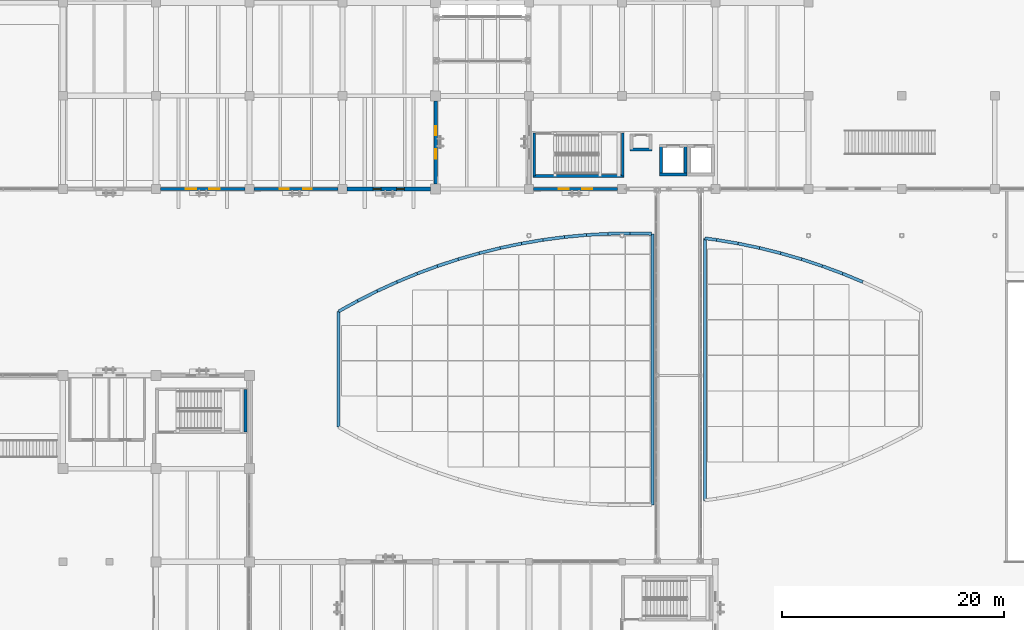
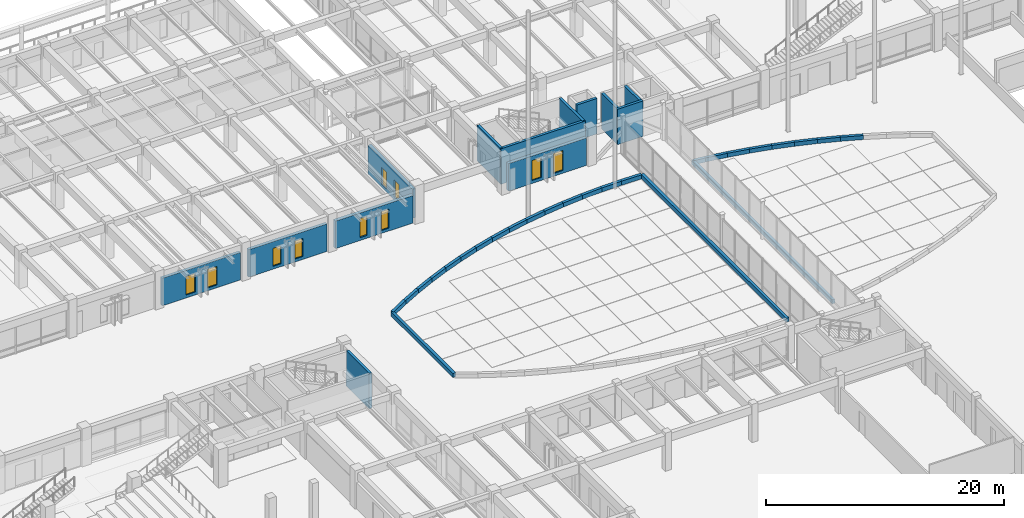
# One storey, part 92 of 135: 39 walls, 10 windows, 10 openings.
"""IFC4 building model written with IfcOpenShell, lengths in metres."""

from ifc_helpers import new_model, si_unit, direction, frame, frame_2d, origin, place, context, subcontext, project, spatial, rectangle, extrude, material, layer, layer_set, type_object, element, fill, save


model = new_model("IFC4")

# Units and contexts
model_context = context("Model", 3, precision=1e-05, world=origin(), true_north=direction((0.0, 1.0)))
body_context = subcontext(model_context, "Body", "Model", "MODEL_VIEW")
ifc_project = project(units=[si_unit("LENGTHUNIT", "METRE"), si_unit("AREAUNIT", "SQUARE_METRE"), si_unit("VOLUMEUNIT", "CUBIC_METRE"), si_unit("PLANEANGLEUNIT", "RADIAN"), si_unit("MASSUNIT", "GRAM", prefix="KILO")], contexts=[model_context])

# Site, building, storey
site_placement = place(None, origin())
site = spatial("IfcSite", under=ifc_project, at=site_placement, CompositionType="ELEMENT")
building_placement = place(site_placement, origin())
building = spatial("IfcBuilding", under=site, at=building_placement, Name="Cumbredor Promenade Congress Hotel", CompositionType="ELEMENT")
storey_placement = place(building_placement, origin())
storey = spatial("IfcBuildingStorey", under=building, at=storey_placement, Name="L00", CompositionType="ELEMENT", Elevation=0.0)

# Wall, openings, windows
ifc_material_1 = material(Name="Concrete C40/50", Category="concrete")
ifc_layer_1 = layer(ifc_material_1, 0.280029296875, Name="Concrete C40/50", Category="concrete")
ifc_layer_set_1 = layer_set([ifc_layer_1], Name="Concrete C40/50")
wall_type_1 = type_object("IfcWallType", Name="WL-EXT-280", PredefinedType="SOLIDWALL", material=ifc_layer_set_1)
wall_1_placement = place(storey_placement, frame((59.200927734375, 84.0, 0.0), z_axis=(0.0, 0.0, 1.0), x_axis=(1.0, 0.0, 0.0)))
wall_1 = element("IfcWall", 1, at=wall_1_placement, inside=storey, type_object=wall_type_1, Name="L00 Stepped Congress Hotel Wing South Envelope Wall 8", PredefinedType="SOLIDWALL", context=body_context, shape_type="SweptSolid", body=[
    extrude(rectangle(XDim=7.59814453125, YDim=0.280029296875, at=frame_2d((3.799072265625, 0.0))), origin(), (0.0, 0.0, 1.0), 2.824951171875),
])
opening_1_placement = place(wall_1_placement, frame((2.283935546875, 0.0, 0.300048828125)))
opening_1 = element("IfcOpeningElement", 2, at=opening_1_placement, cuts=wall_1, Name="Opening WN-68", PredefinedType="OPENING", context=body_context, shape_type="SweptSolid", body=[
    extrude(rectangle(XDim=0.929931640625, YDim=1.89990234375, at=frame_2d((0.46484375, 0.949951171875))), frame((0.0, 0.14990234375, 0.0), z_axis=(0.0, -1.0, 0.0), x_axis=(1.0, 0.0, 0.0)), (0.0, 0.0, 1.0), 0.300048828125),
])
opening_2_placement = place(wall_1_placement, frame((4.384033203125, 0.0, 0.300048828125)))
opening_2 = element("IfcOpeningElement", 3, at=opening_2_placement, cuts=wall_1, Name="Opening WN-68", PredefinedType="OPENING", context=body_context, shape_type="SweptSolid", body=[
    extrude(rectangle(XDim=0.929931640625, YDim=1.89990234375, at=frame_2d((0.46484375, 0.949951171875))), frame((0.0, 0.14990234375, 0.0), z_axis=(0.0, -1.0, 0.0), x_axis=(1.0, 0.0, 0.0)), (0.0, 0.0, 1.0), 0.300048828125),
])
ifc_material_2 = material(Name="Thermally broken anodized aluminium and low-E glass", Category="aluminium")
window_type_1 = type_object("IfcWindowType", Name="Vertical Slot Window WN-68 930x1900", PartitioningType="SINGLE_PANEL", PredefinedType="WINDOW", material=ifc_material_2)
window_1_placement = place(opening_1_placement, origin())
window_1 = element("IfcWindow", 4, at=window_1_placement, inside=storey, type_object=window_type_1, Name="L00 Vertical Slot Window 0067", OverallHeight=1.89990234375, OverallWidth=0.929931640625, PartitioningType="SINGLE_PANEL", PredefinedType="WINDOW", context=body_context, shape_type="SweptSolid", body=[
    extrude(rectangle(XDim=0.929931640625, YDim=1.89990234375, at=frame_2d((0.46484375, 0.949951171875))), frame((0.0, 0.030029296875, 0.0), z_axis=(0.0, -1.0, 0.0), x_axis=(1.0, 0.0, 0.0)), (0.0, 0.0, 1.0), 0.06005859375),
])
fill(opening_1, window_1)
window_2_placement = place(opening_2_placement, origin())
window_2 = element("IfcWindow", 5, at=window_2_placement, inside=storey, type_object=window_type_1, Name="L00 Vertical Slot Window 0068", OverallHeight=1.89990234375, OverallWidth=0.929931640625, PartitioningType="SINGLE_PANEL", PredefinedType="WINDOW", context=body_context, shape_type="SweptSolid", body=[
    extrude(rectangle(XDim=0.929931640625, YDim=1.89990234375, at=frame_2d((0.46484375, 0.949951171875))), frame((0.0, 0.030029296875, 0.0), z_axis=(0.0, -1.0, 0.0), x_axis=(1.0, 0.0, 0.0)), (0.0, 0.0, 1.0), 0.06005859375),
])
fill(opening_2, window_2)

ifc_layer_2 = layer(ifc_material_1, 0.300048828125, Name="Concrete C40/50", Category="concrete")
ifc_layer_set_2 = layer_set([ifc_layer_2], Name="Concrete C40/50")
wall_type_2 = type_object("IfcWallType", Name="WL-EXT-300", PredefinedType="SOLIDWALL", material=ifc_layer_set_2)
wall_2_placement = place(storey_placement, frame((92.801025390625, 84.0, 0.0), z_axis=(0.0, 0.0, 1.0), x_axis=(1.0, 0.0, 0.0)))
wall_2 = element("IfcWall", 6, at=wall_2_placement, inside=storey, type_object=wall_type_2, Name="L00 Pre-Function and Breakout Meeting Forum South Envelope Wall 1", PredefinedType="SOLIDWALL", context=body_context, shape_type="SweptSolid", body=[
    extrude(rectangle(XDim=7.597900390625, YDim=0.300048828125, at=frame_2d((3.798828125, 0.0))), origin(), (0.0, 0.0, 1.0), 2.824951171875),
])
opening_3_placement = place(wall_2_placement, frame((2.2890625, 0.0, 0.300048828125)))
opening_3 = element("IfcOpeningElement", 7, at=opening_3_placement, cuts=wall_2, Name="Opening WN-56", PredefinedType="OPENING", context=body_context, shape_type="SweptSolid", body=[
    extrude(rectangle(XDim=0.919921875, YDim=2.050048828125, at=frame_2d((0.4599609375, 1.02490234375))), frame((0.0, 0.16015625, 0.0), z_axis=(0.0, -1.0, 0.0), x_axis=(1.0, 0.0, 0.0)), (0.0, 0.0, 1.0), 0.320068359375),
])
opening_4_placement = place(wall_2_placement, frame((4.388916015625, 0.0, 0.300048828125)))
opening_4 = element("IfcOpeningElement", 8, at=opening_4_placement, cuts=wall_2, Name="Opening WN-56", PredefinedType="OPENING", context=body_context, shape_type="SweptSolid", body=[
    extrude(rectangle(XDim=0.919921875, YDim=2.050048828125, at=frame_2d((0.4599609375, 1.02490234375))), frame((0.0, 0.16015625, 0.0), z_axis=(0.0, -1.0, 0.0), x_axis=(1.0, 0.0, 0.0)), (0.0, 0.0, 1.0), 0.320068359375),
])
window_type_2 = type_object("IfcWindowType", Name="Vertical Slot Window WN-56 920x2050", PartitioningType="SINGLE_PANEL", PredefinedType="WINDOW", material=ifc_material_2)
window_3_placement = place(opening_3_placement, origin())
window_3 = element("IfcWindow", 9, at=window_3_placement, inside=storey, type_object=window_type_2, Name="L00 Vertical Slot Window 0037", OverallHeight=2.050048828125, OverallWidth=0.919921875, PartitioningType="SINGLE_PANEL", PredefinedType="WINDOW", context=body_context, shape_type="SweptSolid", body=[
    extrude(rectangle(XDim=0.919921875, YDim=2.050048828125, at=frame_2d((0.4599609375, 1.02490234375))), frame((0.0, 0.030029296875, 0.0), z_axis=(0.0, -1.0, 0.0), x_axis=(1.0, 0.0, 0.0)), (0.0, 0.0, 1.0), 0.06005859375),
])
fill(opening_3, window_3)
window_4_placement = place(opening_4_placement, origin())
window_4 = element("IfcWindow", 10, at=window_4_placement, inside=storey, type_object=window_type_2, Name="L00 Vertical Slot Window 0038", OverallHeight=2.050048828125, OverallWidth=0.919921875, PartitioningType="SINGLE_PANEL", PredefinedType="WINDOW", context=body_context, shape_type="SweptSolid", body=[
    extrude(rectangle(XDim=0.919921875, YDim=2.050048828125, at=frame_2d((0.4599609375, 1.02490234375))), frame((0.0, 0.030029296875, 0.0), z_axis=(0.0, -1.0, 0.0), x_axis=(1.0, 0.0, 0.0)), (0.0, 0.0, 1.0), 0.06005859375),
])
fill(opening_4, window_4)

wall_3_placement = place(storey_placement, frame((67.60107421875, 84.0, 0.0), z_axis=(0.0, 0.0, 1.0), x_axis=(1.0, 0.0, 0.0)))
wall_3 = element("IfcWall", 11, at=wall_3_placement, inside=storey, type_object=wall_type_2, Name="L00 Stepped Congress Hotel Wing South Envelope Wall 9", PredefinedType="SOLIDWALL", context=body_context, shape_type="SweptSolid", body=[
    extrude(rectangle(XDim=7.597900390625, YDim=0.300048828125, at=frame_2d((3.798828125, 0.0))), origin(), (0.0, 0.0, 1.0), 2.824951171875),
])
opening_5_placement = place(wall_3_placement, frame((2.35888671875, 0.0, 0.300048828125)))
opening_5 = element("IfcOpeningElement", 12, at=opening_5_placement, cuts=wall_3, Name="Opening WN-46", PredefinedType="OPENING", context=body_context, shape_type="SweptSolid", body=[
    extrude(rectangle(XDim=0.780029296875, YDim=1.85009765625, at=frame_2d((0.39013671875, 0.925048828125))), frame((0.0, 0.16015625, 0.0), z_axis=(0.0, -1.0, 0.0), x_axis=(1.0, 0.0, 0.0)), (0.0, 0.0, 1.0), 0.320068359375),
])
opening_6_placement = place(wall_3_placement, frame((4.458984375, 0.0, 0.300048828125)))
opening_6 = element("IfcOpeningElement", 13, at=opening_6_placement, cuts=wall_3, Name="Opening WN-46", PredefinedType="OPENING", context=body_context, shape_type="SweptSolid", body=[
    extrude(rectangle(XDim=0.780029296875, YDim=1.85009765625, at=frame_2d((0.39013671875, 0.925048828125))), frame((0.0, 0.16015625, 0.0), z_axis=(0.0, -1.0, 0.0), x_axis=(1.0, 0.0, 0.0)), (0.0, 0.0, 1.0), 0.320068359375),
])
window_type_3 = type_object("IfcWindowType", Name="Vertical Slot Window WN-46 780x1850", PartitioningType="SINGLE_PANEL", PredefinedType="WINDOW", material=ifc_material_2)
window_5_placement = place(opening_5_placement, origin())
window_5 = element("IfcWindow", 14, at=window_5_placement, inside=storey, type_object=window_type_3, Name="L00 Vertical Slot Window 0069", OverallHeight=1.85009765625, OverallWidth=0.780029296875, PartitioningType="SINGLE_PANEL", PredefinedType="WINDOW", context=body_context, shape_type="SweptSolid", body=[
    extrude(rectangle(XDim=0.780029296875, YDim=1.85009765625, at=frame_2d((0.39013671875, 0.925048828125))), frame((0.0, 0.030029296875, 0.0), z_axis=(0.0, -1.0, 0.0), x_axis=(1.0, 0.0, 0.0)), (0.0, 0.0, 1.0), 0.06005859375),
])
fill(opening_5, window_5)
window_6_placement = place(opening_6_placement, origin())
window_6 = element("IfcWindow", 15, at=window_6_placement, inside=storey, type_object=window_type_3, Name="L00 Vertical Slot Window 0070", OverallHeight=1.85009765625, OverallWidth=0.780029296875, PartitioningType="SINGLE_PANEL", PredefinedType="WINDOW", context=body_context, shape_type="SweptSolid", body=[
    extrude(rectangle(XDim=0.780029296875, YDim=1.85009765625, at=frame_2d((0.39013671875, 0.925048828125))), frame((0.0, 0.030029296875, 0.0), z_axis=(0.0, -1.0, 0.0), x_axis=(1.0, 0.0, 0.0)), (0.0, 0.0, 1.0), 0.06005859375),
])
fill(opening_6, window_6)

wall_4_placement = place(storey_placement, frame((84.0, 84.450927734375, 0.0), z_axis=(0.0, 0.0, 1.0), x_axis=(0.0, 1.0, 0.0)))
wall_4 = element("IfcWall", 16, at=wall_4_placement, inside=storey, type_object=wall_type_2, Name="L00 Stepped Congress Hotel Wing East Envelope Wall 1", PredefinedType="SOLIDWALL", context=body_context, shape_type="SweptSolid", body=[
    extrude(rectangle(XDim=7.498046875, YDim=0.300048828125, at=frame_2d((3.7490234375, 0.0))), origin(), (0.0, 0.0, 1.0), 2.97509765625),
])
opening_7_placement = place(wall_4_placement, frame((2.279052734375, 0.0, 0.300048828125)))
opening_7 = element("IfcOpeningElement", 17, at=opening_7_placement, cuts=wall_4, Name="Opening WN-62", PredefinedType="OPENING", context=body_context, shape_type="SweptSolid", body=[
    extrude(rectangle(XDim=0.840087890625, YDim=1.75, at=frame_2d((0.419921875, 0.875))), frame((0.0, 0.16015625, 0.0), z_axis=(0.0, -1.0, 0.0), x_axis=(1.0, 0.0, 0.0)), (0.0, 0.0, 1.0), 0.320068359375),
])
opening_8_placement = place(wall_4_placement, frame((4.37890625, 0.0, 0.300048828125)))
opening_8 = element("IfcOpeningElement", 18, at=opening_8_placement, cuts=wall_4, Name="Opening WN-62", PredefinedType="OPENING", context=body_context, shape_type="SweptSolid", body=[
    extrude(rectangle(XDim=0.840087890625, YDim=1.75, at=frame_2d((0.419921875, 0.875))), frame((0.0, 0.16015625, 0.0), z_axis=(0.0, -1.0, 0.0), x_axis=(1.0, 0.0, 0.0)), (0.0, 0.0, 1.0), 0.320068359375),
])
window_type_4 = type_object("IfcWindowType", Name="Vertical Slot Window WN-62 840x1750", PartitioningType="SINGLE_PANEL", PredefinedType="WINDOW", material=ifc_material_2)
window_7_placement = place(opening_7_placement, origin())
window_7 = element("IfcWindow", 19, at=window_7_placement, inside=storey, type_object=window_type_4, Name="L00 Vertical Slot Window 0093", OverallHeight=1.75, OverallWidth=0.840087890625, PartitioningType="SINGLE_PANEL", PredefinedType="WINDOW", context=body_context, shape_type="SweptSolid", body=[
    extrude(rectangle(XDim=0.840087890625, YDim=1.75, at=frame_2d((0.419921875, 0.875))), frame((0.0, 0.030029296875, 0.0), z_axis=(0.0, -1.0, 0.0), x_axis=(1.0, 0.0, 0.0)), (0.0, 0.0, 1.0), 0.06005859375),
])
fill(opening_7, window_7)
window_8_placement = place(opening_8_placement, origin())
window_8 = element("IfcWindow", 20, at=window_8_placement, inside=storey, type_object=window_type_4, Name="L00 Vertical Slot Window 0094", OverallHeight=1.75, OverallWidth=0.840087890625, PartitioningType="SINGLE_PANEL", PredefinedType="WINDOW", context=body_context, shape_type="SweptSolid", body=[
    extrude(rectangle(XDim=0.840087890625, YDim=1.75, at=frame_2d((0.419921875, 0.875))), frame((0.0, 0.030029296875, 0.0), z_axis=(0.0, -1.0, 0.0), x_axis=(1.0, 0.0, 0.0)), (0.0, 0.0, 1.0), 0.06005859375),
])
fill(opening_8, window_8)

ifc_layer_3 = layer(ifc_material_1, 0.324951171875, Name="Concrete C40/50", Category="concrete")
ifc_layer_set_3 = layer_set([ifc_layer_3], Name="Concrete C40/50")
wall_type_3 = type_object("IfcWallType", Name="WL-EXT-325", PredefinedType="SOLIDWALL", material=ifc_layer_set_3)
wall_5_placement = place(storey_placement, frame((76.0009765625, 84.0, 0.0), z_axis=(0.0, 0.0, 1.0), x_axis=(1.0, 0.0, 0.0)))
wall_5 = element("IfcWall", 21, at=wall_5_placement, inside=storey, type_object=wall_type_3, Name="L00 Stepped Congress Hotel Wing South Envelope Wall 10", PredefinedType="SOLIDWALL", context=body_context, shape_type="SweptSolid", body=[
    extrude(rectangle(XDim=7.548095703125, YDim=0.324951171875, at=frame_2d((3.77392578125, 0.0))), origin(), (0.0, 0.0, 1.0), 2.824951171875),
])
opening_9_placement = place(wall_5_placement, frame((2.364013671875, 0.0, 0.300048828125)))
opening_9 = element("IfcOpeningElement", 22, at=opening_9_placement, cuts=wall_5, Name="Opening WN-49", PredefinedType="OPENING", context=body_context, shape_type="SweptSolid", body=[
    extrude(rectangle(XDim=0.719970703125, YDim=1.949951171875, at=frame_2d((0.35986328125, 0.97509765625))), frame((0.0, 0.17236328125, 0.0), z_axis=(0.0, -1.0, 0.0), x_axis=(1.0, 0.0, 0.0)), (0.0, 0.0, 1.0), 0.344970703125),
])
opening_10_placement = place(wall_5_placement, frame((4.464111328125, 0.0, 0.300048828125)))
opening_10 = element("IfcOpeningElement", 23, at=opening_10_placement, cuts=wall_5, Name="Opening WN-49", PredefinedType="OPENING", context=body_context, shape_type="SweptSolid", body=[
    extrude(rectangle(XDim=0.719970703125, YDim=1.949951171875, at=frame_2d((0.35986328125, 0.97509765625))), frame((0.0, 0.17236328125, 0.0), z_axis=(0.0, -1.0, 0.0), x_axis=(1.0, 0.0, 0.0)), (0.0, 0.0, 1.0), 0.344970703125),
])
window_type_5 = type_object("IfcWindowType", Name="Vertical Slot Window WN-49 720x1950", PartitioningType="SINGLE_PANEL", PredefinedType="WINDOW", material=ifc_material_2)
window_9_placement = place(opening_9_placement, origin())
window_9 = element("IfcWindow", 24, at=window_9_placement, inside=storey, type_object=window_type_5, Name="L00 Vertical Slot Window 0071", OverallHeight=1.949951171875, OverallWidth=0.719970703125, PartitioningType="SINGLE_PANEL", PredefinedType="WINDOW", context=body_context, shape_type="SweptSolid", body=[
    extrude(rectangle(XDim=0.719970703125, YDim=1.949951171875, at=frame_2d((0.35986328125, 0.97509765625))), frame((0.0, 0.030029296875, 0.0), z_axis=(0.0, -1.0, 0.0), x_axis=(1.0, 0.0, 0.0)), (0.0, 0.0, 1.0), 0.06005859375),
])
fill(opening_9, window_9)
window_10_placement = place(opening_10_placement, origin())
window_10 = element("IfcWindow", 25, at=window_10_placement, inside=storey, type_object=window_type_5, Name="L00 Vertical Slot Window 0072", OverallHeight=1.949951171875, OverallWidth=0.719970703125, PartitioningType="SINGLE_PANEL", PredefinedType="WINDOW", context=body_context, shape_type="SweptSolid", body=[
    extrude(rectangle(XDim=0.719970703125, YDim=1.949951171875, at=frame_2d((0.35986328125, 0.97509765625))), frame((0.0, 0.030029296875, 0.0), z_axis=(0.0, -1.0, 0.0), x_axis=(1.0, 0.0, 0.0)), (0.0, 0.0, 1.0), 0.06005859375),
])
fill(opening_10, window_10)

# Walls
ifc_material_3 = material(Name="Precast concrete C40/50", Category="concrete")
ifc_layer_4 = layer(ifc_material_3, 0.27490234375, Name="Precast concrete C40/50", Category="concrete")
ifc_layer_set_4 = layer_set([ifc_layer_4], Name="Precast concrete C40/50")
wall_type_4 = type_object("IfcWallType", Name="WL-PAR-275", PredefinedType="PARAPET", material=ifc_layer_set_4)
wall_6_placement = place(storey_placement, frame((75.25, 62.53369140625, 0.0), z_axis=(0.0, 0.0, 1.0), x_axis=(0.0, 1.0, 0.0)))
element("IfcWall", 26, at=wall_6_placement, inside=storey, type_object=wall_type_4, Name="Reflecting Pool Curved Stone Coping Kerb 016", PredefinedType="PARAPET", context=body_context, shape_type="SweptSolid", body=[
    extrude(rectangle(XDim=10.4326171875, YDim=0.27490234375, at=frame_2d((5.21630859375, 0.0))), origin(), (0.0, 0.0, 1.0), 0.419921875),
])
for number, where, z_axis, x_axis, name in (
    (27, (75.25, 72.96630859375, 0.0), (0.0, 0.0, 1.0), (0.875240150198, 0.483688618308, 0.0), "Reflecting Pool Curved Stone Coping Kerb 017"),
    (28, (76.968505859375, 73.916015625, 0.0), (0.0, 0.0, 1.0), (0.89270458417, 0.450642347546, 0.0), "Reflecting Pool Curved Stone Coping Kerb 018"),
):
    element("IfcWall", number, at=place(storey_placement, frame(where, z_axis=z_axis, x_axis=x_axis)), inside=storey, type_object=wall_type_4, Name=name, PredefinedType="PARAPET", context=body_context, shape_type="SweptSolid", body=[
        extrude(rectangle(XDim=1.96337890625, YDim=0.27490234375, at=frame_2d((0.981689453125, 0.0))), origin(), (0.0, 0.0, 1.0), 0.419921875),
    ])
wall_7_placement = place(storey_placement, frame((78.72119140625, 74.80078125, 0.0), z_axis=(0.0, 0.0, 1.0), x_axis=(0.908921500498, 0.416967272017, 0.0)))
element("IfcWall", 29, at=wall_7_placement, inside=storey, type_object=wall_type_4, Name="Reflecting Pool Curved Stone Coping Kerb 019", PredefinedType="PARAPET", context=body_context, shape_type="SweptSolid", body=[
    extrude(rectangle(XDim=1.963134765625, YDim=0.27490234375, at=frame_2d((0.9814453125, 0.0))), origin(), (0.0, 0.0, 1.0), 0.419921875),
])
for number, where, z_axis, x_axis, name in (
    (30, (80.505615234375, 75.619384765625, 0.0), (0.0, 0.0, 1.0), (0.923862244483, 0.382725166692, 0.0), "Reflecting Pool Curved Stone Coping Kerb 020"),
    (31, (82.319580078125, 76.370849609375, 0.0), (0.0, 0.0, 1.0), (0.937529590541, 0.347905543015, 0.0), "Reflecting Pool Curved Stone Coping Kerb 021"),
    (32, (84.160400390625, 77.053955078125, 0.0), (0.0, 0.0, 1.0), (0.949919476025, 0.312494782465, 0.0), "Reflecting Pool Curved Stone Coping Kerb 022"),
    (33, (86.025390625, 77.66748046875, 0.0), (0.0, 0.0, 1.0), (0.960897422245, 0.276904575484, 0.0), "Reflecting Pool Curved Stone Coping Kerb 023"),
):
    element("IfcWall", number, at=place(storey_placement, frame(where, z_axis=z_axis, x_axis=x_axis)), inside=storey, type_object=wall_type_4, Name=name, PredefinedType="PARAPET", context=body_context, shape_type="SweptSolid", body=[
        extrude(rectangle(XDim=1.96337890625, YDim=0.27490234375, at=frame_2d((0.981689453125, 0.0))), origin(), (0.0, 0.0, 1.0), 0.419921875),
    ])
wall_8_placement = place(storey_placement, frame((87.912109375, 78.211181640625, 0.0), z_axis=(0.0, 0.0, 1.0), x_axis=(0.970616123189, 0.240633209272, 0.0)))
element("IfcWall", 34, at=wall_8_placement, inside=storey, type_object=wall_type_4, Name="Reflecting Pool Curved Stone Coping Kerb 024", PredefinedType="PARAPET", context=body_context, shape_type="SweptSolid", body=[
    extrude(rectangle(XDim=1.963134765625, YDim=0.27490234375, at=frame_2d((0.9814453125, 0.0))), origin(), (0.0, 0.0, 1.0), 0.419921875),
])
wall_9_placement = place(storey_placement, frame((89.817626953125, 78.68359375, 0.0), z_axis=(0.0, 0.0, 1.0), x_axis=(0.978905866866, 0.204311780902, 0.0)))
element("IfcWall", 35, at=wall_9_placement, inside=storey, type_object=wall_type_4, Name="Reflecting Pool Curved Stone Coping Kerb 025", PredefinedType="PARAPET", context=body_context, shape_type="SweptSolid", body=[
    extrude(rectangle(XDim=1.96337890625, YDim=0.27490234375, at=frame_2d((0.981689453125, 0.0))), origin(), (0.0, 0.0, 1.0), 0.419921875),
])
wall_10_placement = place(storey_placement, frame((91.739501953125, 79.084716796875, 0.0), z_axis=(0.0, 0.0, 1.0), x_axis=(0.985874945927, 0.167483106591, 0.0)))
element("IfcWall", 36, at=wall_10_placement, inside=storey, type_object=wall_type_4, Name="Reflecting Pool Curved Stone Coping Kerb 026", PredefinedType="PARAPET", context=body_context, shape_type="SweptSolid", body=[
    extrude(rectangle(XDim=1.963623046875, YDim=0.27490234375, at=frame_2d((0.98193359375, 0.0))), origin(), (0.0, 0.0, 1.0), 0.419921875),
])
for number, where, z_axis, x_axis, name in (
    (37, (93.67529296875, 79.41357421875, 0.0), (0.0, 0.0, 1.0), (0.991439475548, 0.130567095112, 0.0), "Reflecting Pool Curved Stone Coping Kerb 027"),
    (38, (95.621826171875, 79.669921875, 0.0), (0.0, 0.0, 1.0), (0.995630252859, 0.093383079792, 0.0), "Reflecting Pool Curved Stone Coping Kerb 028"),
):
    element("IfcWall", number, at=place(storey_placement, frame(where, z_axis=z_axis, x_axis=x_axis)), inside=storey, type_object=wall_type_4, Name=name, PredefinedType="PARAPET", context=body_context, shape_type="SweptSolid", body=[
        extrude(rectangle(XDim=1.96337890625, YDim=0.27490234375, at=frame_2d((0.981689453125, 0.0))), origin(), (0.0, 0.0, 1.0), 0.419921875),
    ])
wall_11_placement = place(storey_placement, frame((97.57666015625, 79.853271484375, 0.0), z_axis=(0.0, 0.0, 1.0), x_axis=(0.998426502657, 0.056076009053, 0.0)))
element("IfcWall", 39, at=wall_11_placement, inside=storey, type_object=wall_type_4, Name="Reflecting Pool Curved Stone Coping Kerb 029", PredefinedType="PARAPET", context=body_context, shape_type="SweptSolid", body=[
    extrude(rectangle(XDim=1.963623046875, YDim=0.27490234375, at=frame_2d((0.98193359375, 0.0))), origin(), (0.0, 0.0, 1.0), 0.419921875),
])
for number, where, z_axis, x_axis, name in (
    (40, (99.537109375, 79.96337890625, 0.0), (0.0, 0.0, 1.0), (0.999826008886, 0.018653470315, 0.0), "Reflecting Pool Curved Stone Coping Kerb 030"),
    (41, (101.5, 80.0, 0.0), (0.0, 0.0, 1.0), (0.999826008886, -0.018653470315, 0.0), "Reflecting Pool Curved Stone Coping Kerb 031"),
):
    element("IfcWall", number, at=place(storey_placement, frame(where, z_axis=z_axis, x_axis=x_axis)), inside=storey, type_object=wall_type_4, Name=name, PredefinedType="PARAPET", context=body_context, shape_type="SweptSolid", body=[
        extrude(rectangle(XDim=1.963134765625, YDim=0.27490234375, at=frame_2d((0.9814453125, 0.0))), origin(), (0.0, 0.0, 1.0), 0.419921875),
    ])
wall_12_placement = place(storey_placement, frame((103.550048828125, 79.95849609375, 0.0), z_axis=(0.0, 0.0, 1.0), x_axis=(0.0, -1.0, 0.0)))
element("IfcWall", 42, at=wall_12_placement, inside=storey, type_object=wall_type_4, Name="Reflecting Pool Curved Stone Coping Kerb 032", PredefinedType="PARAPET", context=body_context, shape_type="SweptSolid", body=[
    extrude(rectangle(XDim=24.4169921875, YDim=0.27490234375, at=frame_2d((12.20849609375, 0.0))), origin(), (0.0, 0.0, 1.0), 0.419921875),
])
wall_13_placement = place(storey_placement, frame((109.32470703125, 79.41357421875, 0.0), z_axis=(0.0, 0.0, 1.0), x_axis=(0.985874945927, -0.167483106591, 0.0)))
element("IfcWall", 43, at=wall_13_placement, inside=storey, type_object=wall_type_4, Name="Reflecting Pool Curved Stone Coping Kerb 033", PredefinedType="PARAPET", context=body_context, shape_type="SweptSolid", body=[
    extrude(rectangle(XDim=1.963623046875, YDim=0.27490234375, at=frame_2d((0.98193359375, 0.0))), origin(), (0.0, 0.0, 1.0), 0.419921875),
])
wall_14_placement = place(storey_placement, frame((111.260498046875, 79.084716796875, 0.0), z_axis=(0.0, 0.0, 1.0), x_axis=(0.978905866866, -0.204311780902, 0.0)))
element("IfcWall", 44, at=wall_14_placement, inside=storey, type_object=wall_type_4, Name="Reflecting Pool Curved Stone Coping Kerb 034", PredefinedType="PARAPET", context=body_context, shape_type="SweptSolid", body=[
    extrude(rectangle(XDim=1.96337890625, YDim=0.27490234375, at=frame_2d((0.981689453125, 0.0))), origin(), (0.0, 0.0, 1.0), 0.419921875),
])
wall_15_placement = place(storey_placement, frame((113.182373046875, 78.68359375, 0.0), z_axis=(0.0, 0.0, 1.0), x_axis=(0.970616123189, -0.240633209272, 0.0)))
element("IfcWall", 45, at=wall_15_placement, inside=storey, type_object=wall_type_4, Name="Reflecting Pool Curved Stone Coping Kerb 035", PredefinedType="PARAPET", context=body_context, shape_type="SweptSolid", body=[
    extrude(rectangle(XDim=1.963134765625, YDim=0.27490234375, at=frame_2d((0.9814453125, 0.0))), origin(), (0.0, 0.0, 1.0), 0.419921875),
])
for number, where, z_axis, x_axis, name in (
    (46, (115.087890625, 78.211181640625, 0.0), (0.0, 0.0, 1.0), (0.960897422245, -0.276904575484, 0.0), "Reflecting Pool Curved Stone Coping Kerb 036"),
    (47, (116.974609375, 77.66748046875, 0.0), (0.0, 0.0, 1.0), (0.949919476025, -0.312494782465, 0.0), "Reflecting Pool Curved Stone Coping Kerb 037"),
    (48, (118.839599609375, 77.053955078125, 0.0), (0.0, 0.0, 1.0), (0.937529590541, -0.347905543015, 0.0), "Reflecting Pool Curved Stone Coping Kerb 038"),
    (49, (120.680419921875, 76.370849609375, 0.0), (0.0, 0.0, 1.0), (0.923862244483, -0.382725166692, 0.0), "Reflecting Pool Curved Stone Coping Kerb 039"),
):
    element("IfcWall", number, at=place(storey_placement, frame(where, z_axis=z_axis, x_axis=x_axis)), inside=storey, type_object=wall_type_4, Name=name, PredefinedType="PARAPET", context=body_context, shape_type="SweptSolid", body=[
        extrude(rectangle(XDim=1.96337890625, YDim=0.27490234375, at=frame_2d((0.981689453125, 0.0))), origin(), (0.0, 0.0, 1.0), 0.419921875),
    ])
wall_16_placement = place(storey_placement, frame((108.25, 55.94482421875, 0.0), z_axis=(0.0, 0.0, 1.0), x_axis=(0.0, 1.0, 0.0)))
element("IfcWall", 50, at=wall_16_placement, inside=storey, type_object=wall_type_4, Name="Reflecting Pool Curved Stone Coping Kerb 055", PredefinedType="PARAPET", context=body_context, shape_type="SweptSolid", body=[
    extrude(rectangle(XDim=23.6103515625, YDim=0.27490234375, at=frame_2d((11.80517578125, 0.0))), origin(), (0.0, 0.0, 1.0), 0.419921875),
])
wall_17_placement = place(storey_placement, frame((108.25, 79.55517578125, 0.0), z_axis=(0.0, 0.0, 1.0), x_axis=(0.991431282562, -0.130629292114, 0.0)))
element("IfcWall", 51, at=wall_17_placement, inside=storey, type_object=wall_type_4, Name="Reflecting Pool Curved Stone Coping Kerb 056", PredefinedType="PARAPET", context=body_context, shape_type="SweptSolid", body=[
    extrude(rectangle(XDim=1.083984375, YDim=0.27490234375, at=frame_2d((0.5419921875, 0.0))), origin(), (0.0, 0.0, 1.0), 0.419921875),
])
ifc_layer_5 = layer(ifc_material_1, 0.2548828125, Name="Concrete C40/50", Category="concrete")
ifc_layer_set_5 = layer_set([ifc_layer_5], Name="Concrete C40/50")
wall_type_5 = type_object("IfcWallType", Name="WL-SHAFT-250", PredefinedType="SOLIDWALL", material=ifc_layer_set_5)
wall_18_placement = place(storey_placement, frame((66.85009765625, 62.10009765625, 0.0), z_axis=(0.0, 0.0, 1.0), x_axis=(0.0, 1.0, 0.0)))
element("IfcWall", 52, at=wall_18_placement, inside=storey, type_object=wall_type_5, Name="STAIR-ST-07-L00 Shaft Wall East", PredefinedType="SOLIDWALL", context=body_context, shape_type="SweptSolid", body=[
    extrude(rectangle(XDim=3.849853515625, YDim=0.2548828125, at=frame_2d((1.9248046875, 0.0))), origin(), (0.0, 0.0, 1.0), 3.639892578125),
])
wall_19_placement = place(storey_placement, frame((92.75244140625, 85.179931640625, 0.0), z_axis=(0.0, 0.0, 1.0), x_axis=(1.0, 0.0, 0.0)))
element("IfcWall", 53, at=wall_19_placement, inside=storey, type_object=wall_type_5, Name="STAIR-ST-13-L00 Shaft Wall South", PredefinedType="SOLIDWALL", context=body_context, shape_type="SweptSolid", body=[
    extrude(rectangle(XDim=8.22509765625, YDim=0.2548828125, at=frame_2d((4.112548828125, 0.0))), origin(), (0.0, 0.0, 1.0), 3.639892578125),
])
for number, where, z_axis, x_axis, name in (
    (54, (92.8798828125, 85.179931640625, 0.0), (0.0, 0.0, 1.0), (0.0, 1.0, 0.0), "STAIR-ST-13-L00 Shaft Wall West"),
    (55, (100.85009765625, 85.179931640625, 0.0), (0.0, 0.0, 1.0), (0.0, 1.0, 0.0), "STAIR-ST-13-L00 Shaft Wall East"),
):
    element("IfcWall", number, at=place(storey_placement, frame(where, z_axis=z_axis, x_axis=x_axis)), inside=storey, type_object=wall_type_5, Name=name, PredefinedType="SOLIDWALL", context=body_context, shape_type="SweptSolid", body=[
        extrude(rectangle(XDim=3.8701171875, YDim=0.2548828125, at=frame_2d((1.93505859375, 0.0))), origin(), (0.0, 0.0, 1.0), 3.639892578125),
    ])
wall_20_placement = place(storey_placement, frame((104.172607421875, 85.300048828125, 0.0), z_axis=(0.0, 0.0, 1.0), x_axis=(1.0, 0.0, 0.0)))
element("IfcWall", 56, at=wall_20_placement, inside=storey, type_object=wall_type_5, Name="SHAFT-PL-09-L00 Shaft Wall South", PredefinedType="SOLIDWALL", context=body_context, shape_type="SweptSolid", body=[
    extrude(rectangle(XDim=2.454833984375, YDim=0.2548828125, at=frame_2d((1.2275390625, 0.0))), origin(), (0.0, 0.0, 1.0), 3.639892578125),
])
for number, where, z_axis, x_axis, name in (
    (57, (104.300048828125, 85.300048828125, 0.0), (0.0, 0.0, 1.0), (0.0, 1.0, 0.0), "SHAFT-PL-09-L00 Shaft Wall West"),
    (58, (106.5, 85.300048828125, 0.0), (0.0, 0.0, 1.0), (0.0, 1.0, 0.0), "SHAFT-PL-09-L00 Shaft Wall East"),
):
    element("IfcWall", number, at=place(storey_placement, frame(where, z_axis=z_axis, x_axis=x_axis)), inside=storey, type_object=wall_type_5, Name=name, PredefinedType="SOLIDWALL", context=body_context, shape_type="SweptSolid", body=[
        extrude(rectangle(XDim=2.599853515625, YDim=0.2548828125, at=frame_2d((1.2998046875, 0.0))), origin(), (0.0, 0.0, 1.0), 3.639892578125),
    ])
wall_21_placement = place(storey_placement, frame((101.5224609375, 87.550048828125, 0.0), z_axis=(0.0, 0.0, 1.0), x_axis=(1.0, 0.0, 0.0)))
element("IfcWall", 59, at=wall_21_placement, inside=storey, type_object=wall_type_5, Name="RISER-MEP-R4-L00 Shaft Wall South", PredefinedType="SOLIDWALL", context=body_context, shape_type="SweptSolid", body=[
    extrude(rectangle(XDim=1.955078125, YDim=0.2548828125, at=frame_2d((0.9775390625, 0.0))), origin(), (0.0, 0.0, 1.0), 3.639892578125),
])

save(model, "model.ifc")
